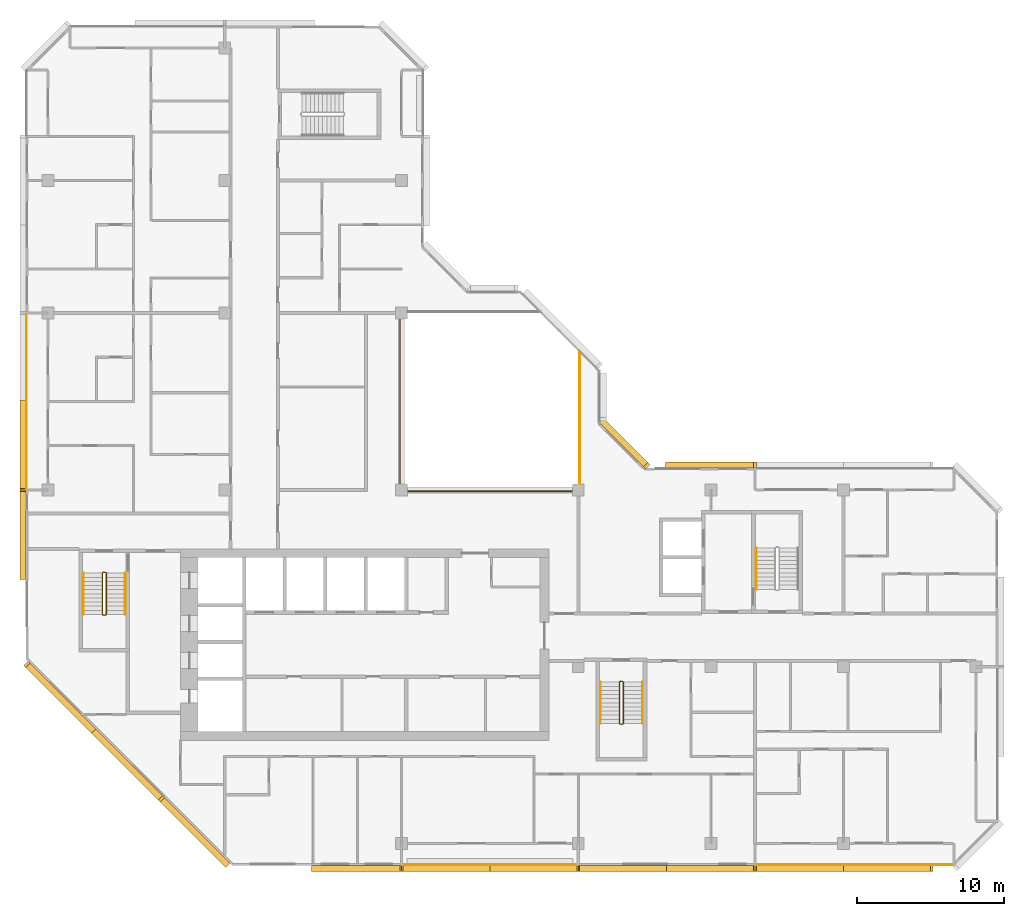
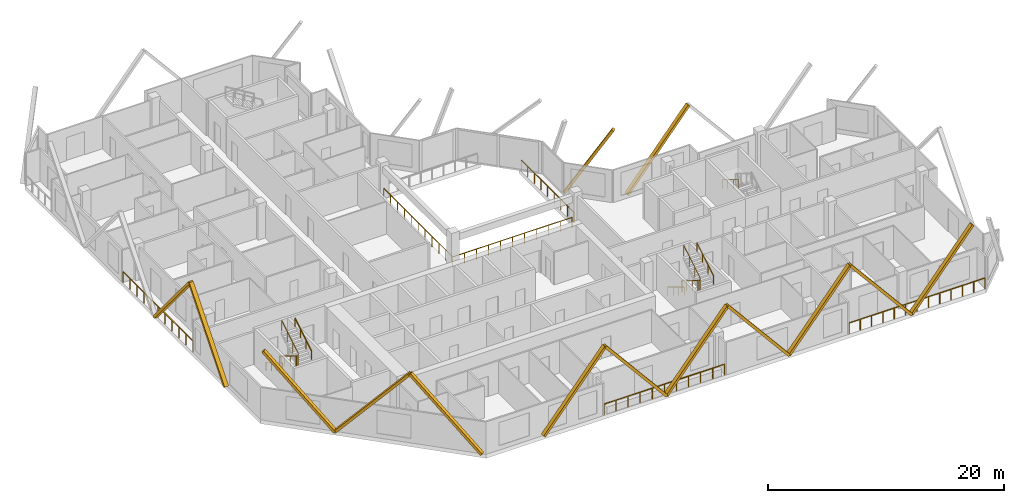
# One storey, part 12 of 13: 14 coverings, 12 railings.
"""IFC4 building model written with IfcOpenShell, lengths in metres."""

from ifc_helpers import new_model, si_unit, direction, frame, origin, origin_2d, place, context, subcontext, project, spatial, rectangle, extrude, material, material_profile, profile_set, type_object, element, save


model = new_model("IFC4")

# Units and contexts
model_context = context("Model", 3, precision=1e-05, world=origin(), true_north=direction((0.0, 1.0)))
body_context = subcontext(model_context, "Body", "Model", "MODEL_VIEW")
ifc_project = project(units=[si_unit("LENGTHUNIT", "METRE"), si_unit("AREAUNIT", "SQUARE_METRE"), si_unit("VOLUMEUNIT", "CUBIC_METRE"), si_unit("PLANEANGLEUNIT", "RADIAN"), si_unit("MASSUNIT", "GRAM", prefix="KILO")], contexts=[model_context])

# Site, building, storey
site_placement = place(None, origin())
site = spatial("IfcSite", under=ifc_project, at=site_placement, CompositionType="ELEMENT")
building_placement = place(site_placement, origin())
building = spatial("IfcBuilding", under=site, at=building_placement, Name="Chenar Terraces", CompositionType="ELEMENT")
storey_placement = place(building_placement, frame((0.0, 0.0, 303.39990234375)))
storey = spatial("IfcBuildingStorey", under=building, at=storey_placement, Name="L71", CompositionType="ELEMENT", Elevation=303.39990234375)

# Railings
ifc_material_1 = material(Name="Powder-coated steel", Category="steel")
railing_type_1 = type_object("IfcRailingType", Name="Guard 1100 steel rail with glass infill", PredefinedType="GUARDRAIL", material=ifc_material_1)
railing_1_placement = place(storey_placement, frame((23.89990234375, 35.60009765625, 0.0)))
element("IfcRailing", 1, at=railing_1_placement, inside=storey, type_object=railing_type_1, Name="Guard L71-1", PredefinedType="GUARDRAIL", context=body_context, shape_type="SweptSolid", body=[
    extrude(rectangle(XDim=0.06005859375, YDim=0.06005859375, at=origin_2d()), frame((0.0, 0.0, 1.070068359375), z_axis=(0.0, -1.0, 0.0), x_axis=(1.0, 0.0, 0.0)), (0.0, 0.0, 1.0), 11.7001953125),
    extrude(rectangle(XDim=0.06005859375, YDim=0.06005859375, at=origin_2d()), frame((0.0, -11.7001953125, 1.070068359375), z_axis=(1.0, 0.0, 0.0), x_axis=(0.0, 1.0, 0.0)), (0.0, 0.0, 1.0), 11.7001953125),
    extrude(rectangle(XDim=0.050048828125, YDim=0.050048828125, at=origin_2d()), origin(), (0.0, 0.0, 1.0), 1.0400390625),
    extrude(rectangle(XDim=0.050048828125, YDim=0.050048828125, at=origin_2d()), frame((0.0, -1.169921875, 0.0)), (0.0, 0.0, 1.0), 1.0400390625),
    extrude(rectangle(XDim=0.050048828125, YDim=0.050048828125, at=origin_2d()), frame((0.0, -2.340087890625, 0.0)), (0.0, 0.0, 1.0), 1.0400390625),
    extrude(rectangle(XDim=0.050048828125, YDim=0.050048828125, at=origin_2d()), frame((0.0, -3.510009765625, 0.0)), (0.0, 0.0, 1.0), 1.0400390625),
    extrude(rectangle(XDim=0.050048828125, YDim=0.050048828125, at=origin_2d()), frame((0.0, -4.68017578125, 0.0)), (0.0, 0.0, 1.0), 1.0400390625),
    extrude(rectangle(XDim=0.050048828125, YDim=0.050048828125, at=origin_2d()), frame((0.0, -5.85009765625, 0.0)), (0.0, 0.0, 1.0), 1.0400390625),
    extrude(rectangle(XDim=0.050048828125, YDim=0.050048828125, at=origin_2d()), frame((0.0, -7.02001953125, 0.0)), (0.0, 0.0, 1.0), 1.0400390625),
    extrude(rectangle(XDim=0.050048828125, YDim=0.050048828125, at=origin_2d()), frame((0.0, -8.190185546875, 0.0)), (0.0, 0.0, 1.0), 1.0400390625),
    extrude(rectangle(XDim=0.050048828125, YDim=0.050048828125, at=origin_2d()), frame((0.0, -9.360107421875, 0.0)), (0.0, 0.0, 1.0), 1.0400390625),
    extrude(rectangle(XDim=0.050048828125, YDim=0.050048828125, at=origin_2d()), frame((0.0, -10.5302734375, 0.0)), (0.0, 0.0, 1.0), 1.0400390625),
    extrude(rectangle(XDim=0.050048828125, YDim=0.050048828125, at=origin_2d()), frame((0.0, -11.7001953125, 0.0)), (0.0, 0.0, 1.0), 1.0400390625),
    extrude(rectangle(XDim=0.050048828125, YDim=0.050048828125, at=origin_2d()), frame((1.169921875, -11.7001953125, 0.0)), (0.0, 0.0, 1.0), 1.0400390625),
    extrude(rectangle(XDim=0.050048828125, YDim=0.050048828125, at=origin_2d()), frame((2.340087890625, -11.7001953125, 0.0)), (0.0, 0.0, 1.0), 1.0400390625),
    extrude(rectangle(XDim=0.050048828125, YDim=0.050048828125, at=origin_2d()), frame((3.510009765625, -11.7001953125, 0.0)), (0.0, 0.0, 1.0), 1.0400390625),
    extrude(rectangle(XDim=0.050048828125, YDim=0.050048828125, at=origin_2d()), frame((4.68017578125, -11.7001953125, 0.0)), (0.0, 0.0, 1.0), 1.0400390625),
    extrude(rectangle(XDim=0.050048828125, YDim=0.050048828125, at=origin_2d()), frame((5.85009765625, -11.7001953125, 0.0)), (0.0, 0.0, 1.0), 1.0400390625),
    extrude(rectangle(XDim=0.050048828125, YDim=0.050048828125, at=origin_2d()), frame((7.02001953125, -11.7001953125, 0.0)), (0.0, 0.0, 1.0), 1.0400390625),
    extrude(rectangle(XDim=0.050048828125, YDim=0.050048828125, at=origin_2d()), frame((8.190185546875, -11.7001953125, 0.0)), (0.0, 0.0, 1.0), 1.0400390625),
    extrude(rectangle(XDim=0.050048828125, YDim=0.050048828125, at=origin_2d()), frame((9.360107421875, -11.7001953125, 0.0)), (0.0, 0.0, 1.0), 1.0400390625),
    extrude(rectangle(XDim=0.050048828125, YDim=0.050048828125, at=origin_2d()), frame((10.5302734375, -11.7001953125, 0.0)), (0.0, 0.0, 1.0), 1.0400390625),
    extrude(rectangle(XDim=0.050048828125, YDim=0.050048828125, at=origin_2d()), frame((11.7001953125, -11.7001953125, 0.0)), (0.0, 0.0, 1.0), 1.0400390625),
])
railing_2_placement = place(storey_placement, frame((36.10009765625, 24.449951171875, 0.0)))
element("IfcRailing", 2, at=railing_2_placement, inside=storey, type_object=railing_type_1, Name="Guard L71-3", PredefinedType="GUARDRAIL", context=body_context, shape_type="SweptSolid", body=[
    extrude(rectangle(XDim=0.06005859375, YDim=0.06005859375, at=origin_2d()), frame((0.0, 0.0, 1.070068359375), z_axis=(0.0, 1.0, 0.0), x_axis=(-1.0, 0.0, 0.0)), (0.0, 0.0, 1.0), 8.949951171875),
    extrude(rectangle(XDim=0.050048828125, YDim=0.050048828125, at=origin_2d()), origin(), (0.0, 0.0, 1.0), 1.0400390625),
    extrude(rectangle(XDim=0.050048828125, YDim=0.050048828125, at=origin_2d()), frame((0.0, 1.11865234375, 0.0)), (0.0, 0.0, 1.0), 1.0400390625),
    extrude(rectangle(XDim=0.050048828125, YDim=0.050048828125, at=origin_2d()), frame((0.0, 2.237548828125, 0.0)), (0.0, 0.0, 1.0), 1.0400390625),
    extrude(rectangle(XDim=0.050048828125, YDim=0.050048828125, at=origin_2d()), frame((0.0, 3.356201171875, 0.0)), (0.0, 0.0, 1.0), 1.0400390625),
    extrude(rectangle(XDim=0.050048828125, YDim=0.050048828125, at=origin_2d()), frame((0.0, 4.47509765625, 0.0)), (0.0, 0.0, 1.0), 1.0400390625),
    extrude(rectangle(XDim=0.050048828125, YDim=0.050048828125, at=origin_2d()), frame((0.0, 5.59375, 0.0)), (0.0, 0.0, 1.0), 1.0400390625),
    extrude(rectangle(XDim=0.050048828125, YDim=0.050048828125, at=origin_2d()), frame((0.0, 6.71240234375, 0.0)), (0.0, 0.0, 1.0), 1.0400390625),
    extrude(rectangle(XDim=0.050048828125, YDim=0.050048828125, at=origin_2d()), frame((0.0, 7.831298828125, 0.0)), (0.0, 0.0, 1.0), 1.0400390625),
    extrude(rectangle(XDim=0.050048828125, YDim=0.050048828125, at=origin_2d()), frame((0.0, 8.949951171875, 0.0)), (0.0, 0.0, 1.0), 1.0400390625),
])
ifc_material_2 = material(Name="Stainless steel and glass", Category="steel")
railing_type_2 = type_object("IfcRailingType", Name="Loggia guard 1150", PredefinedType="GUARDRAIL", material=ifc_material_2)
railing_3_placement = place(storey_placement, frame((24.074951171875, -1.449951171875, 0.0)))
element("IfcRailing", 3, at=railing_3_placement, inside=storey, type_object=railing_type_2, Name="Loggia guard", PredefinedType="GUARDRAIL", context=body_context, shape_type="SweptSolid", body=[
    extrude(rectangle(XDim=0.048095703125, YDim=0.048095703125, at=origin_2d()), frame((0.0, 0.0, 1.1259765625), z_axis=(1.0, 0.0, 0.0), x_axis=(0.0, 1.0, 0.0)), (0.0, 0.0, 1.0), 11.85009765625),
    extrude(rectangle(XDim=0.0419921875, YDim=0.0419921875, at=origin_2d()), origin(), (0.0, 0.0, 1.0), 1.101806640625),
    extrude(rectangle(XDim=0.0419921875, YDim=0.0419921875, at=origin_2d()), frame((1.18505859375, 0.0, 0.0)), (0.0, 0.0, 1.0), 1.101806640625),
    extrude(rectangle(XDim=0.0419921875, YDim=0.0419921875, at=origin_2d()), frame((2.3701171875, 0.0, 0.0)), (0.0, 0.0, 1.0), 1.101806640625),
    extrude(rectangle(XDim=0.0419921875, YDim=0.0419921875, at=origin_2d()), frame((3.554931640625, 0.0, 0.0)), (0.0, 0.0, 1.0), 1.101806640625),
    extrude(rectangle(XDim=0.0419921875, YDim=0.0419921875, at=origin_2d()), frame((4.739990234375, 0.0, 0.0)), (0.0, 0.0, 1.0), 1.101806640625),
    extrude(rectangle(XDim=0.0419921875, YDim=0.0419921875, at=origin_2d()), frame((5.925048828125, 0.0, 0.0)), (0.0, 0.0, 1.0), 1.101806640625),
    extrude(rectangle(XDim=0.0419921875, YDim=0.0419921875, at=origin_2d()), frame((7.110107421875, 0.0, 0.0)), (0.0, 0.0, 1.0), 1.101806640625),
    extrude(rectangle(XDim=0.0419921875, YDim=0.0419921875, at=origin_2d()), frame((8.295166015625, 0.0, 0.0)), (0.0, 0.0, 1.0), 1.101806640625),
    extrude(rectangle(XDim=0.0419921875, YDim=0.0419921875, at=origin_2d()), frame((9.47998046875, 0.0, 0.0)), (0.0, 0.0, 1.0), 1.101806640625),
    extrude(rectangle(XDim=0.0419921875, YDim=0.0419921875, at=origin_2d()), frame((10.6650390625, 0.0, 0.0)), (0.0, 0.0, 1.0), 1.101806640625),
    extrude(rectangle(XDim=0.0419921875, YDim=0.0419921875, at=origin_2d()), frame((11.85009765625, 0.0, 0.0)), (0.0, 0.0, 1.0), 1.101806640625),
])
railing_4_placement = place(storey_placement, frame((48.074951171875, -1.449951171875, 0.0)))
element("IfcRailing", 4, at=railing_4_placement, inside=storey, type_object=railing_type_2, Name="Loggia guard", PredefinedType="GUARDRAIL", context=body_context, shape_type="SweptSolid", body=[
    extrude(rectangle(XDim=0.048095703125, YDim=0.048095703125, at=origin_2d()), frame((0.0, 0.0, 1.1259765625), z_axis=(1.0, 0.0, 0.0), x_axis=(0.0, 1.0, 0.0)), (0.0, 0.0, 1.0), 13.35009765625),
    extrude(rectangle(XDim=0.0419921875, YDim=0.0419921875, at=origin_2d()), origin(), (0.0, 0.0, 1.0), 1.101806640625),
    extrude(rectangle(XDim=0.0419921875, YDim=0.0419921875, at=origin_2d()), frame((1.112548828125, 0.0, 0.0)), (0.0, 0.0, 1.0), 1.101806640625),
    extrude(rectangle(XDim=0.0419921875, YDim=0.0419921875, at=origin_2d()), frame((2.22509765625, 0.0, 0.0)), (0.0, 0.0, 1.0), 1.101806640625),
    extrude(rectangle(XDim=0.0419921875, YDim=0.0419921875, at=origin_2d()), frame((3.33740234375, 0.0, 0.0)), (0.0, 0.0, 1.0), 1.101806640625),
    extrude(rectangle(XDim=0.0419921875, YDim=0.0419921875, at=origin_2d()), frame((4.449951171875, 0.0, 0.0)), (0.0, 0.0, 1.0), 1.101806640625),
    extrude(rectangle(XDim=0.0419921875, YDim=0.0419921875, at=origin_2d()), frame((5.5625, 0.0, 0.0)), (0.0, 0.0, 1.0), 1.101806640625),
    extrude(rectangle(XDim=0.0419921875, YDim=0.0419921875, at=origin_2d()), frame((6.675048828125, 0.0, 0.0)), (0.0, 0.0, 1.0), 1.101806640625),
    extrude(rectangle(XDim=0.0419921875, YDim=0.0419921875, at=origin_2d()), frame((7.78759765625, 0.0, 0.0)), (0.0, 0.0, 1.0), 1.101806640625),
    extrude(rectangle(XDim=0.0419921875, YDim=0.0419921875, at=origin_2d()), frame((8.900146484375, 0.0, 0.0)), (0.0, 0.0, 1.0), 1.101806640625),
    extrude(rectangle(XDim=0.0419921875, YDim=0.0419921875, at=origin_2d()), frame((10.0126953125, 0.0, 0.0)), (0.0, 0.0, 1.0), 1.101806640625),
    extrude(rectangle(XDim=0.0419921875, YDim=0.0419921875, at=origin_2d()), frame((11.125, 0.0, 0.0)), (0.0, 0.0, 1.0), 1.101806640625),
    extrude(rectangle(XDim=0.0419921875, YDim=0.0419921875, at=origin_2d()), frame((12.237548828125, 0.0, 0.0)), (0.0, 0.0, 1.0), 1.101806640625),
    extrude(rectangle(XDim=0.0419921875, YDim=0.0419921875, at=origin_2d()), frame((13.35009765625, 0.0, 0.0)), (0.0, 0.0, 1.0), 1.101806640625),
])
railing_5_placement = place(storey_placement, frame((-1.449951171875, 35.925048828125, 0.0)))
element("IfcRailing", 5, at=railing_5_placement, inside=storey, type_object=railing_type_2, Name="Loggia guard", PredefinedType="GUARDRAIL", context=body_context, shape_type="SweptSolid", body=[
    extrude(rectangle(XDim=0.048095703125, YDim=0.048095703125, at=origin_2d()), frame((0.0, 0.0, 1.1259765625), z_axis=(0.0, -1.0, 0.0), x_axis=(1.0, 0.0, 0.0)), (0.0, 0.0, 1.0), 11.85009765625),
    extrude(rectangle(XDim=0.0419921875, YDim=0.0419921875, at=origin_2d()), origin(), (0.0, 0.0, 1.0), 1.101806640625),
    extrude(rectangle(XDim=0.0419921875, YDim=0.0419921875, at=origin_2d()), frame((0.0, -1.18505859375, 0.0)), (0.0, 0.0, 1.0), 1.101806640625),
    extrude(rectangle(XDim=0.0419921875, YDim=0.0419921875, at=origin_2d()), frame((0.0, -2.3701171875, 0.0)), (0.0, 0.0, 1.0), 1.101806640625),
    extrude(rectangle(XDim=0.0419921875, YDim=0.0419921875, at=origin_2d()), frame((0.0, -3.554931640625, 0.0)), (0.0, 0.0, 1.0), 1.101806640625),
    extrude(rectangle(XDim=0.0419921875, YDim=0.0419921875, at=origin_2d()), frame((0.0, -4.739990234375, 0.0)), (0.0, 0.0, 1.0), 1.101806640625),
    extrude(rectangle(XDim=0.0419921875, YDim=0.0419921875, at=origin_2d()), frame((0.0, -5.925048828125, 0.0)), (0.0, 0.0, 1.0), 1.101806640625),
    extrude(rectangle(XDim=0.0419921875, YDim=0.0419921875, at=origin_2d()), frame((0.0, -7.110107421875, 0.0)), (0.0, 0.0, 1.0), 1.101806640625),
    extrude(rectangle(XDim=0.0419921875, YDim=0.0419921875, at=origin_2d()), frame((0.0, -8.295166015625, 0.0)), (0.0, 0.0, 1.0), 1.101806640625),
    extrude(rectangle(XDim=0.0419921875, YDim=0.0419921875, at=origin_2d()), frame((0.0, -9.47998046875, 0.0)), (0.0, 0.0, 1.0), 1.101806640625),
    extrude(rectangle(XDim=0.0419921875, YDim=0.0419921875, at=origin_2d()), frame((0.0, -10.6650390625, 0.0)), (0.0, 0.0, 1.0), 1.101806640625),
    extrude(rectangle(XDim=0.0419921875, YDim=0.0419921875, at=origin_2d()), frame((0.0, -11.85009765625, 0.0)), (0.0, 0.0, 1.0), 1.101806640625),
])
ifc_material_3 = material(Name="Powder-coated steel", Category="steel")
railing_type_3 = type_object("IfcRailingType", Name="Stair guard 1100", PredefinedType="GUARDRAIL", material=ifc_material_3)
railing_6_placement = place(storey_placement, frame((3.949951171875, 18.35009765625, 3.75)))
element("IfcRailing", 6, at=railing_6_placement, inside=storey, type_object=railing_type_3, Name="L71 ST1 stair guard 1", PredefinedType="GUARDRAIL", context=body_context, shape_type="SweptSolid", body=[
    extrude(rectangle(XDim=0.048095703125, YDim=0.048095703125, at=origin_2d()), frame((0.0, 0.0, 1.076171875), z_axis=(0.0, -0.854202870247, -0.519939858505), x_axis=(1.0, 0.0, 0.0)), (0.0, 0.0, 1.0), 3.278076171875),
    extrude(rectangle(XDim=0.048095703125, YDim=0.048095703125, at=origin_2d()), frame((0.0, -2.800048828125, -0.62841796875), z_axis=(-0.270899902878, -0.270899902878, -0.923702595667), x_axis=(0.707106781187, -0.707106781187, 0.0)), (0.0, 0.0, 1.0), 0.184814453125),
    extrude(rectangle(XDim=0.048095703125, YDim=0.048095703125, at=origin_2d()), frame((-0.050048828125, -2.85009765625, -0.798828125), z_axis=(-1.0, 0.0, 0.0), x_axis=(0.0, -1.0, 0.0)), (0.0, 0.0, 1.0), 0.14990234375),
    extrude(rectangle(XDim=0.048095703125, YDim=0.048095703125, at=origin_2d()), frame((-0.199951171875, -2.85009765625, -0.798828125), z_axis=(-0.707106781187, 0.707106781187, 0.0), x_axis=(-0.707106781187, -0.707106781187, 0.0)), (0.0, 0.0, 1.0), 0.07080078125),
    extrude(rectangle(XDim=0.048095703125, YDim=0.048095703125, at=origin_2d()), frame((-0.25, -2.800048828125, -0.798828125), z_axis=(0.0, 0.854202870247, -0.519939858505), x_axis=(-1.0, 0.0, 0.0)), (0.0, 0.0, 1.0), 3.278076171875),
    extrude(rectangle(XDim=0.048095703125, YDim=0.048095703125, at=origin_2d()), frame((-0.25, 0.0, -2.50341796875), z_axis=(0.270996696079, 0.269674760976, -0.924032636873), x_axis=(-0.705375805398, 0.708833529934, 0.0)), (0.0, 0.0, 1.0), 0.1845703125),
    extrude(rectangle(XDim=0.048095703125, YDim=0.048095703125, at=origin_2d()), frame((-0.199951171875, 0.0498046875, -2.673828125), z_axis=(1.0, 0.0, 0.0), x_axis=(0.0, 1.0, 0.0)), (0.0, 0.0, 1.0), 0.14990234375),
    extrude(rectangle(XDim=0.0419921875, YDim=0.0419921875, at=origin_2d()), origin(), (0.0, 0.0, 1.0), 1.052001953125),
    extrude(rectangle(XDim=0.0419921875, YDim=0.0419921875, at=origin_2d()), frame((0.0, -0.933349609375, -0.568115234375)), (0.0, 0.0, 1.0), 1.052001953125),
    extrude(rectangle(XDim=0.0419921875, YDim=0.0419921875, at=origin_2d()), frame((0.0, -1.86669921875, -1.13623046875)), (0.0, 0.0, 1.0), 1.052001953125),
    extrude(rectangle(XDim=0.0419921875, YDim=0.0419921875, at=origin_2d()), frame((0.0, -2.800048828125, -1.704345703125)), (0.0, 0.0, 1.0), 1.052001953125),
    extrude(rectangle(XDim=0.0419921875, YDim=0.0419921875, at=origin_2d()), frame((-0.050048828125, -2.85009765625, -1.875)), (0.0, 0.0, 1.0), 1.052001953125),
    extrude(rectangle(XDim=0.0419921875, YDim=0.0419921875, at=origin_2d()), frame((-0.199951171875, -2.85009765625, -1.875)), (0.0, 0.0, 1.0), 1.052001953125),
    extrude(rectangle(XDim=0.0419921875, YDim=0.0419921875, at=origin_2d()), frame((-0.25, -2.800048828125, -1.875)), (0.0, 0.0, 1.0), 1.052001953125),
    extrude(rectangle(XDim=0.0419921875, YDim=0.0419921875, at=origin_2d()), frame((-0.25, -1.86669921875, -2.443115234375)), (0.0, 0.0, 1.0), 1.052001953125),
    extrude(rectangle(XDim=0.0419921875, YDim=0.0419921875, at=origin_2d()), frame((-0.25, -0.933349609375, -3.01123046875)), (0.0, 0.0, 1.0), 1.052001953125),
    extrude(rectangle(XDim=0.0419921875, YDim=0.0419921875, at=origin_2d()), frame((-0.25, 0.0, -3.579345703125)), (0.0, 0.0, 1.0), 1.052001953125),
    extrude(rectangle(XDim=0.0419921875, YDim=0.0419921875, at=origin_2d()), frame((-0.199951171875, 0.0498046875, -3.75)), (0.0, 0.0, 1.0), 1.052001953125),
    extrude(rectangle(XDim=0.0419921875, YDim=0.0419921875, at=origin_2d()), frame((-0.050048828125, 0.0498046875, -3.75)), (0.0, 0.0, 1.0), 1.052001953125),
])
railing_7_placement = place(storey_placement, frame((39.050048828125, 10.949951171875, 3.75)))
element("IfcRailing", 7, at=railing_7_placement, inside=storey, type_object=railing_type_3, Name="L71 ST2 stair guard 1", PredefinedType="GUARDRAIL", context=body_context, shape_type="SweptSolid", body=[
    extrude(rectangle(XDim=0.048095703125, YDim=0.048095703125, at=origin_2d()), frame((0.0, 0.0, 1.076171875), z_axis=(0.0, -0.854202870247, -0.519939858505), x_axis=(1.0, 0.0, 0.0)), (0.0, 0.0, 1.0), 3.278076171875),
    extrude(rectangle(XDim=0.048095703125, YDim=0.048095703125, at=origin_2d()), frame((0.0, -2.800048828125, -0.62841796875), z_axis=(-0.270996696079, -0.269674760976, -0.924032636873), x_axis=(0.705375805398, -0.708833529934, 0.0)), (0.0, 0.0, 1.0), 0.1845703125),
    extrude(rectangle(XDim=0.048095703125, YDim=0.048095703125, at=origin_2d()), frame((-0.050048828125, -2.849853515625, -0.798828125), z_axis=(-1.0, 0.0, 0.0), x_axis=(0.0, -1.0, 0.0)), (0.0, 0.0, 1.0), 0.14990234375),
    extrude(rectangle(XDim=0.048095703125, YDim=0.048095703125, at=origin_2d()), frame((-0.199951171875, -2.849853515625, -0.798828125), z_axis=(-0.708833529934, 0.705375805398, 0.0), x_axis=(-0.705375805398, -0.708833529934, 0.0)), (0.0, 0.0, 1.0), 0.070556640625),
    extrude(rectangle(XDim=0.048095703125, YDim=0.048095703125, at=origin_2d()), frame((-0.25, -2.800048828125, -0.798828125), z_axis=(0.0, 0.854202870247, -0.519939858505), x_axis=(-1.0, 0.0, 0.0)), (0.0, 0.0, 1.0), 3.278076171875),
    extrude(rectangle(XDim=0.048095703125, YDim=0.048095703125, at=origin_2d()), frame((-0.25, 0.0, -2.50341796875), z_axis=(0.270899902878, 0.270899902878, -0.923702595667), x_axis=(-0.707106781187, 0.707106781187, 0.0)), (0.0, 0.0, 1.0), 0.184814453125),
    extrude(rectangle(XDim=0.048095703125, YDim=0.048095703125, at=origin_2d()), frame((-0.199951171875, 0.050048828125, -2.673828125), z_axis=(1.0, 0.0, 0.0), x_axis=(0.0, 1.0, 0.0)), (0.0, 0.0, 1.0), 0.14990234375),
    extrude(rectangle(XDim=0.0419921875, YDim=0.0419921875, at=origin_2d()), origin(), (0.0, 0.0, 1.0), 1.052001953125),
    extrude(rectangle(XDim=0.0419921875, YDim=0.0419921875, at=origin_2d()), frame((0.0, -0.933349609375, -0.568115234375)), (0.0, 0.0, 1.0), 1.052001953125),
    extrude(rectangle(XDim=0.0419921875, YDim=0.0419921875, at=origin_2d()), frame((0.0, -1.86669921875, -1.13623046875)), (0.0, 0.0, 1.0), 1.052001953125),
    extrude(rectangle(XDim=0.0419921875, YDim=0.0419921875, at=origin_2d()), frame((0.0, -2.800048828125, -1.704345703125)), (0.0, 0.0, 1.0), 1.052001953125),
    extrude(rectangle(XDim=0.0419921875, YDim=0.0419921875, at=origin_2d()), frame((-0.050048828125, -2.849853515625, -1.875)), (0.0, 0.0, 1.0), 1.052001953125),
    extrude(rectangle(XDim=0.0419921875, YDim=0.0419921875, at=origin_2d()), frame((-0.199951171875, -2.849853515625, -1.875)), (0.0, 0.0, 1.0), 1.052001953125),
    extrude(rectangle(XDim=0.0419921875, YDim=0.0419921875, at=origin_2d()), frame((-0.25, -2.800048828125, -1.875)), (0.0, 0.0, 1.0), 1.052001953125),
    extrude(rectangle(XDim=0.0419921875, YDim=0.0419921875, at=origin_2d()), frame((-0.25, -1.86669921875, -2.443115234375)), (0.0, 0.0, 1.0), 1.052001953125),
    extrude(rectangle(XDim=0.0419921875, YDim=0.0419921875, at=origin_2d()), frame((-0.25, -0.933349609375, -3.01123046875)), (0.0, 0.0, 1.0), 1.052001953125),
    extrude(rectangle(XDim=0.0419921875, YDim=0.0419921875, at=origin_2d()), frame((-0.25, 0.0, -3.579345703125)), (0.0, 0.0, 1.0), 1.052001953125),
    extrude(rectangle(XDim=0.0419921875, YDim=0.0419921875, at=origin_2d()), frame((-0.199951171875, 0.050048828125, -3.75)), (0.0, 0.0, 1.0), 1.052001953125),
    extrude(rectangle(XDim=0.0419921875, YDim=0.0419921875, at=origin_2d()), frame((-0.050048828125, 0.050048828125, -3.75)), (0.0, 0.0, 1.0), 1.052001953125),
])
ifc_material_4 = material(Name="Powder-coated steel", Category="steel")
railing_type_4 = type_object("IfcRailingType", Name="Stair handrail 900", PredefinedType="HANDRAIL", material=ifc_material_4)
railing_8_placement = place(storey_placement, frame((2.39990234375, 18.35009765625, 0.170654296875)))
element("IfcRailing", 8, at=railing_8_placement, inside=storey, type_object=railing_type_4, Name="L71 ST1 stair handrail 1", PredefinedType="HANDRAIL", context=body_context, shape_type="SweptSolid", body=[
    extrude(rectangle(XDim=0.048095703125, YDim=0.048095703125, at=origin_2d()), frame((0.0, 0.0, 0.8759765625), z_axis=(0.0, -0.854202870247, 0.519939858505), x_axis=(1.0, 0.0, 0.0)), (0.0, 0.0, 1.0), 3.278076171875),
    extrude(rectangle(XDim=0.0419921875, YDim=0.0419921875, at=origin_2d()), origin(), (0.0, 0.0, 1.0), 0.851806640625),
    extrude(rectangle(XDim=0.0419921875, YDim=0.0419921875, at=origin_2d()), frame((0.0, -0.933349609375, 0.568115234375)), (0.0, 0.0, 1.0), 0.851806640625),
    extrude(rectangle(XDim=0.0419921875, YDim=0.0419921875, at=origin_2d()), frame((0.0, -1.86669921875, 1.13623046875)), (0.0, 0.0, 1.0), 0.851806640625),
    extrude(rectangle(XDim=0.0419921875, YDim=0.0419921875, at=origin_2d()), frame((0.0, -2.800048828125, 1.704345703125)), (0.0, 0.0, 1.0), 0.851806640625),
])
railing_9_placement = place(storey_placement, frame((5.25, 15.550048828125, 2.045654296875)))
element("IfcRailing", 9, at=railing_9_placement, inside=storey, type_object=railing_type_4, Name="L71 ST1 stair handrail 2", PredefinedType="HANDRAIL", context=body_context, shape_type="SweptSolid", body=[
    extrude(rectangle(XDim=0.048095703125, YDim=0.048095703125, at=origin_2d()), frame((0.0, 0.0, 0.8759765625), z_axis=(0.0, 0.854202870247, 0.519939858505), x_axis=(-1.0, 0.0, 0.0)), (0.0, 0.0, 1.0), 3.278076171875),
    extrude(rectangle(XDim=0.0419921875, YDim=0.0419921875, at=origin_2d()), origin(), (0.0, 0.0, 1.0), 0.851806640625),
    extrude(rectangle(XDim=0.0419921875, YDim=0.0419921875, at=origin_2d()), frame((0.0, 0.933349609375, 0.568115234375)), (0.0, 0.0, 1.0), 0.851806640625),
    extrude(rectangle(XDim=0.0419921875, YDim=0.0419921875, at=origin_2d()), frame((0.0, 1.86669921875, 1.13623046875)), (0.0, 0.0, 1.0), 0.851806640625),
    extrude(rectangle(XDim=0.0419921875, YDim=0.0419921875, at=origin_2d()), frame((0.0, 2.800048828125, 1.704345703125)), (0.0, 0.0, 1.0), 0.851806640625),
])
railing_10_placement = place(storey_placement, frame((37.5, 10.949951171875, 0.170654296875)))
element("IfcRailing", 10, at=railing_10_placement, inside=storey, type_object=railing_type_4, Name="L71 ST2 stair handrail 1", PredefinedType="HANDRAIL", context=body_context, shape_type="SweptSolid", body=[
    extrude(rectangle(XDim=0.048095703125, YDim=0.048095703125, at=origin_2d()), frame((0.0, 0.0, 0.8759765625), z_axis=(0.0, -0.854202870247, 0.519939858505), x_axis=(1.0, 0.0, 0.0)), (0.0, 0.0, 1.0), 3.278076171875),
    extrude(rectangle(XDim=0.0419921875, YDim=0.0419921875, at=origin_2d()), origin(), (0.0, 0.0, 1.0), 0.851806640625),
    extrude(rectangle(XDim=0.0419921875, YDim=0.0419921875, at=origin_2d()), frame((0.0, -0.933349609375, 0.568115234375)), (0.0, 0.0, 1.0), 0.851806640625),
    extrude(rectangle(XDim=0.0419921875, YDim=0.0419921875, at=origin_2d()), frame((0.0, -1.86669921875, 1.13623046875)), (0.0, 0.0, 1.0), 0.851806640625),
    extrude(rectangle(XDim=0.0419921875, YDim=0.0419921875, at=origin_2d()), frame((0.0, -2.800048828125, 1.704345703125)), (0.0, 0.0, 1.0), 0.851806640625),
])
railing_11_placement = place(storey_placement, frame((40.35009765625, 8.14990234375, 2.045654296875)))
element("IfcRailing", 11, at=railing_11_placement, inside=storey, type_object=railing_type_4, Name="L71 ST2 stair handrail 2", PredefinedType="HANDRAIL", context=body_context, shape_type="SweptSolid", body=[
    extrude(rectangle(XDim=0.048095703125, YDim=0.048095703125, at=origin_2d()), frame((0.0, 0.0, 0.8759765625), z_axis=(0.0, 0.854202870247, 0.519939858505), x_axis=(-1.0, 0.0, 0.0)), (0.0, 0.0, 1.0), 3.278076171875),
    extrude(rectangle(XDim=0.0419921875, YDim=0.0419921875, at=origin_2d()), origin(), (0.0, 0.0, 1.0), 0.851806640625),
    extrude(rectangle(XDim=0.0419921875, YDim=0.0419921875, at=origin_2d()), frame((0.0, 0.933349609375, 0.568115234375)), (0.0, 0.0, 1.0), 0.851806640625),
    extrude(rectangle(XDim=0.0419921875, YDim=0.0419921875, at=origin_2d()), frame((0.0, 1.86669921875, 1.13623046875)), (0.0, 0.0, 1.0), 0.851806640625),
    extrude(rectangle(XDim=0.0419921875, YDim=0.0419921875, at=origin_2d()), frame((0.0, 2.800048828125, 1.704345703125)), (0.0, 0.0, 1.0), 0.851806640625),
])
railing_12_placement = place(storey_placement, frame((48.074951171875, 20.050048828125, 2.045654296875)))
element("IfcRailing", 12, at=railing_12_placement, inside=storey, type_object=railing_type_4, Name="L71 ST3 stair handrail 2", PredefinedType="HANDRAIL", context=body_context, shape_type="SweptSolid", body=[
    extrude(rectangle(XDim=0.048095703125, YDim=0.048095703125, at=origin_2d()), frame((0.0, 0.0, 0.8759765625), z_axis=(0.0, -0.854202870247, 0.519939858505), x_axis=(1.0, 0.0, 0.0)), (0.0, 0.0, 1.0), 3.278076171875),
    extrude(rectangle(XDim=0.0419921875, YDim=0.0419921875, at=origin_2d()), origin(), (0.0, 0.0, 1.0), 0.851806640625),
    extrude(rectangle(XDim=0.0419921875, YDim=0.0419921875, at=origin_2d()), frame((0.0, -0.933349609375, 0.568115234375)), (0.0, 0.0, 1.0), 0.851806640625),
    extrude(rectangle(XDim=0.0419921875, YDim=0.0419921875, at=origin_2d()), frame((0.0, -1.86669921875, 1.13623046875)), (0.0, 0.0, 1.0), 0.851806640625),
    extrude(rectangle(XDim=0.0419921875, YDim=0.0419921875, at=origin_2d()), frame((0.0, -2.800048828125, 1.704345703125)), (0.0, 0.0, 1.0), 0.851806640625),
])

# Coverings
ifc_material_5 = material(Name="Terracotta", Category="masonry")
ifc_material_profile = material_profile(ifc_material_5, rectangle(XDim=0.39990234375, YDim=0.25, at=origin_2d()), Name="Terracotta baguette 400 x 250")
ifc_profile_set = profile_set([ifc_material_profile], Name="Terracotta")
covering_type = type_object("IfcCoveringType", Name="Terracotta baguette 400 x 250", PredefinedType="CLADDING", material=ifc_profile_set)
covering_1_placement = place(storey_placement, frame((48.0, 25.699951171875, 7.35009765625), z_axis=(-0.640186961885, 0.0, -0.768219144407), x_axis=(0.0, -1.0, 0.0)))
element("IfcCovering", 13, at=covering_1_placement, inside=storey, type_object=covering_type, Name="Terracotta baguette", PredefinedType="CLADDING", context=body_context, shape_type="SweptSolid", body=[
    extrude(rectangle(XDim=0.39990234375, YDim=0.25, at=origin_2d()), origin(), (0.0, 0.0, 1.0), 9.372314453125),
])
covering_2_placement = place(storey_placement, frame((40.641357421875, 25.641357421875, 7.35009765625), z_axis=(-0.358980886355, 0.358980886355, -0.861548284464), x_axis=(-0.707106781187, -0.707106781187, 0.0)))
element("IfcCovering", 14, at=covering_2_placement, inside=storey, type_object=covering_type, Name="Terracotta baguette", PredefinedType="CLADDING", context=body_context, shape_type="SweptSolid", body=[
    extrude(rectangle(XDim=0.39990234375, YDim=0.25, at=origin_2d()), origin(), (0.0, 0.0, 1.0), 8.35693359375),
])
for number, where, z_axis, x_axis, name in (
    (15, (-1.699951171875, 30.0, 0.150146484375), (0.0, -0.640186961885, 0.768219144407), (1.0, 0.0, 0.0), "Terracotta baguette"),
    (16, (-1.699951171875, 24.0, 7.35009765625), (0.0, -0.640186961885, -0.768219144407), (1.0, 0.0, 0.0), "Terracotta baguette"),
):
    element("IfcCovering", number, at=place(storey_placement, frame(where, z_axis=z_axis, x_axis=x_axis)), inside=storey, type_object=covering_type, Name=name, PredefinedType="CLADDING", context=body_context, shape_type="SweptSolid", body=[
        extrude(rectangle(XDim=0.39990234375, YDim=0.25, at=origin_2d()), origin(), (0.0, 0.0, 1.0), 9.372314453125),
    ])
covering_3_placement = place(storey_placement, frame((-1.42919921875, 12.146484375, 7.35009765625), z_axis=(0.465604048687, -0.46562956823, -0.752596821038), x_axis=(0.707126158488, 0.707087403354, 0.0)))
element("IfcCovering", 17, at=covering_3_placement, inside=storey, type_object=covering_type, Name="Terracotta baguette", PredefinedType="CLADDING", context=body_context, shape_type="SweptSolid", body=[
    extrude(rectangle(XDim=0.39990234375, YDim=0.25, at=origin_2d()), origin(), (0.0, 0.0, 1.0), 9.56689453125),
])
covering_4_placement = place(storey_placement, frame((3.025146484375, 7.69189453125, 0.150146484375), z_axis=(0.477802509271, -0.477802509271, 0.73716315987), x_axis=(0.707106781187, 0.707106781187, 0.0)))
element("IfcCovering", 18, at=covering_4_placement, inside=storey, type_object=covering_type, Name="Terracotta baguette", PredefinedType="CLADDING", context=body_context, shape_type="SweptSolid", body=[
    extrude(rectangle(XDim=0.39990234375, YDim=0.25, at=origin_2d()), origin(), (0.0, 0.0, 1.0), 9.76708984375),
])
covering_5_placement = place(storey_placement, frame((7.69189453125, 3.025146484375, 7.35009765625), z_axis=(0.46562956823, -0.465604048687, -0.752596821038), x_axis=(0.707087403354, 0.707126158488, 0.0)))
element("IfcCovering", 19, at=covering_5_placement, inside=storey, type_object=covering_type, Name="Terracotta baguette", PredefinedType="CLADDING", context=body_context, shape_type="SweptSolid", body=[
    extrude(rectangle(XDim=0.39990234375, YDim=0.25, at=origin_2d()), origin(), (0.0, 0.0, 1.0), 9.56689453125),
])
for number, where, z_axis, x_axis, name in (
    (20, (18.0, -1.699951171875, 0.150146484375), (0.640186961885, 0.0, 0.768219144407), (0.0, 1.0, 0.0), "Terracotta baguette"),
    (21, (24.0, -1.699951171875, 7.35009765625), (0.640186961885, 0.0, -0.768219144407), (0.0, 1.0, 0.0), "Terracotta baguette"),
    (22, (30.0, -1.699951171875, 0.150146484375), (0.640186961885, 0.0, 0.768219144407), (0.0, 1.0, 0.0), "Terracotta baguette"),
    (23, (36.0, -1.699951171875, 7.35009765625), (0.640186961885, 0.0, -0.768219144407), (0.0, 1.0, 0.0), "Terracotta baguette"),
    (24, (42.0, -1.699951171875, 0.150146484375), (0.640186961885, 0.0, 0.768219144407), (0.0, 1.0, 0.0), "Terracotta baguette"),
    (25, (48.0, -1.699951171875, 7.35009765625), (0.640186961885, 0.0, -0.768219144407), (0.0, 1.0, 0.0), "Terracotta baguette"),
    (26, (54.0, -1.699951171875, 0.150146484375), (0.640186961885, 0.0, 0.768219144407), (0.0, 1.0, 0.0), "Terracotta baguette"),
):
    element("IfcCovering", number, at=place(storey_placement, frame(where, z_axis=z_axis, x_axis=x_axis)), inside=storey, type_object=covering_type, Name=name, PredefinedType="CLADDING", context=body_context, shape_type="SweptSolid", body=[
        extrude(rectangle(XDim=0.39990234375, YDim=0.25, at=origin_2d()), origin(), (0.0, 0.0, 1.0), 9.372314453125),
    ])

save(model, "model.ifc")
